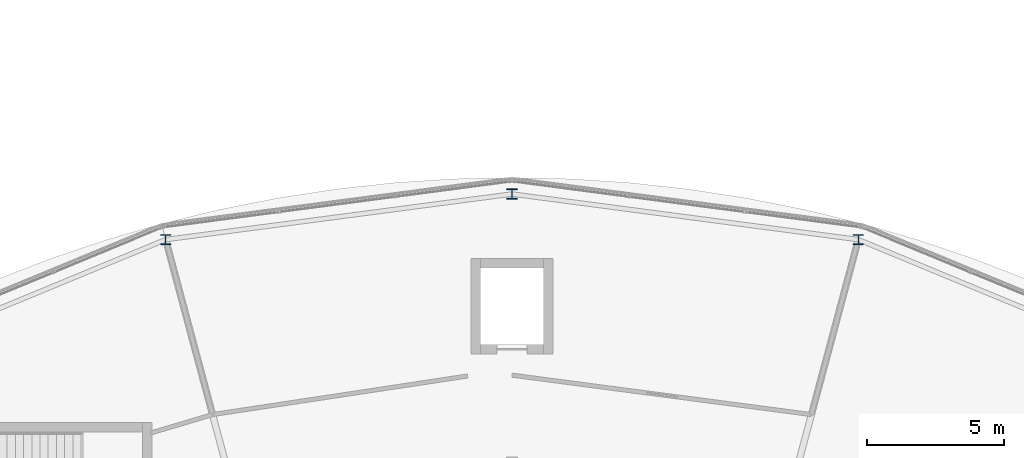
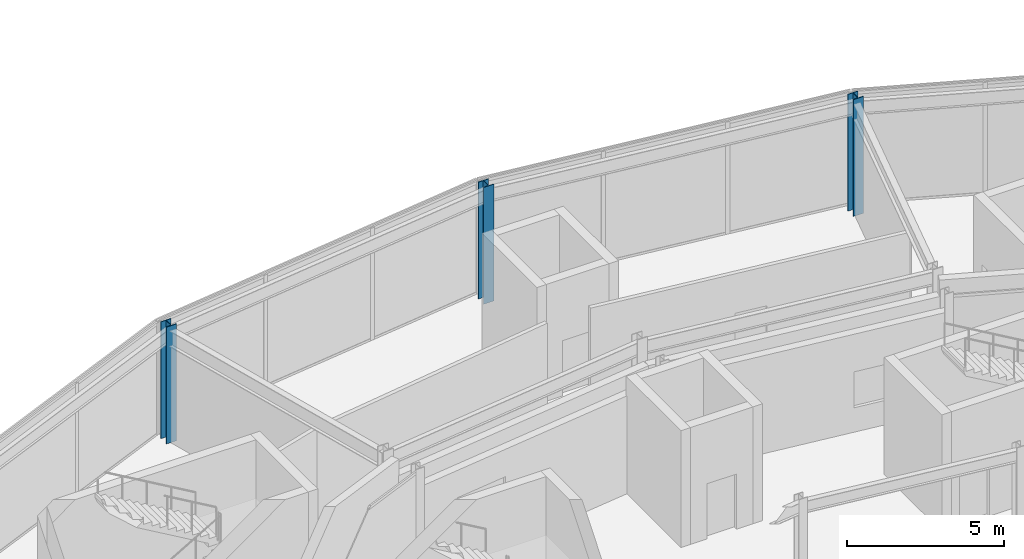
# One storey, part 16 of 157: 3 columns.
"""IFC4 building model written with IfcOpenShell, lengths in metres."""

from ifc_helpers import new_model, si_unit, direction, frame, origin, origin_2d, place, context, subcontext, project, spatial, i_section, extrude, material, material_profile, profile_set, type_object, element, save


model = new_model("IFC4")

# Units and contexts
model_context = context("Model", 3, precision=1e-05, world=origin(), true_north=direction((0.0, 1.0)))
body_context = subcontext(model_context, "Body", "Model", "MODEL_VIEW")
ifc_project = project(units=[si_unit("LENGTHUNIT", "METRE"), si_unit("AREAUNIT", "SQUARE_METRE"), si_unit("VOLUMEUNIT", "CUBIC_METRE"), si_unit("PLANEANGLEUNIT", "RADIAN"), si_unit("MASSUNIT", "GRAM", prefix="KILO")], contexts=[model_context])

# Site, building, storey
site_placement = place(None, origin())
site = spatial("IfcSite", under=ifc_project, at=site_placement, CompositionType="ELEMENT")
building_placement = place(site_placement, origin())
building = spatial("IfcBuilding", under=site, at=building_placement, Name="Almandine Court Research Institute", CompositionType="ELEMENT")
storey_placement = place(building_placement, frame((0.0, 0.0, 5.25)))
storey = spatial("IfcBuildingStorey", under=building, at=storey_placement, Name="L01", CompositionType="ELEMENT", Elevation=5.25)

# Columns
ifc_material = material(Name="Steel ASTM A992 Grade 50", Category="steel")
ifc_material_profile = material_profile(ifc_material, i_section(OverallWidth=0.373046875, OverallDepth=0.367919921875, WebThickness=0.01708984375, FlangeThickness=0.027099609375, at=origin_2d()), Name="W360x179")
ifc_profile_set = profile_set([ifc_material_profile], Name="Steel ASTM A992 Grade 50")
column_type = type_object("IfcColumnType", Name="Col-C-W03-E", PredefinedType="COLUMN", material=ifc_profile_set)
for number, where, z_axis, x_axis, name in (
    (1, (99.656005859375, 103.23388671875, 0.0), (0.0, 0.0, 1.0), (1.0, 0.0, 0.0), "L01 V5 Column V5-OUT-S05"),
    (2, (87.0, 104.89990234375, 0.0), (0.0, 0.0, 1.0), (1.0, 0.0, 0.0), "L01 V5 Column V5-OUT-S06"),
    (3, (74.343994140625, 103.23388671875, 0.0), (0.0, 0.0, 1.0), (1.0, 0.0, 0.0), "L01 V5 Column V5-OUT-S07"),
):
    element("IfcColumn", number, at=place(storey_placement, frame(where, z_axis=z_axis, x_axis=x_axis)), inside=storey, type_object=column_type, Name=name, PredefinedType="COLUMN", context=body_context, shape_type="SweptSolid", body=[
        extrude(i_section(OverallWidth=0.373046875, OverallDepth=0.367919921875, WebThickness=0.01708984375, FlangeThickness=0.027099609375, at=origin_2d()), origin(), (0.0, 0.0, 1.0), 4.550048828125),
    ])

save(model, "model.ifc")
